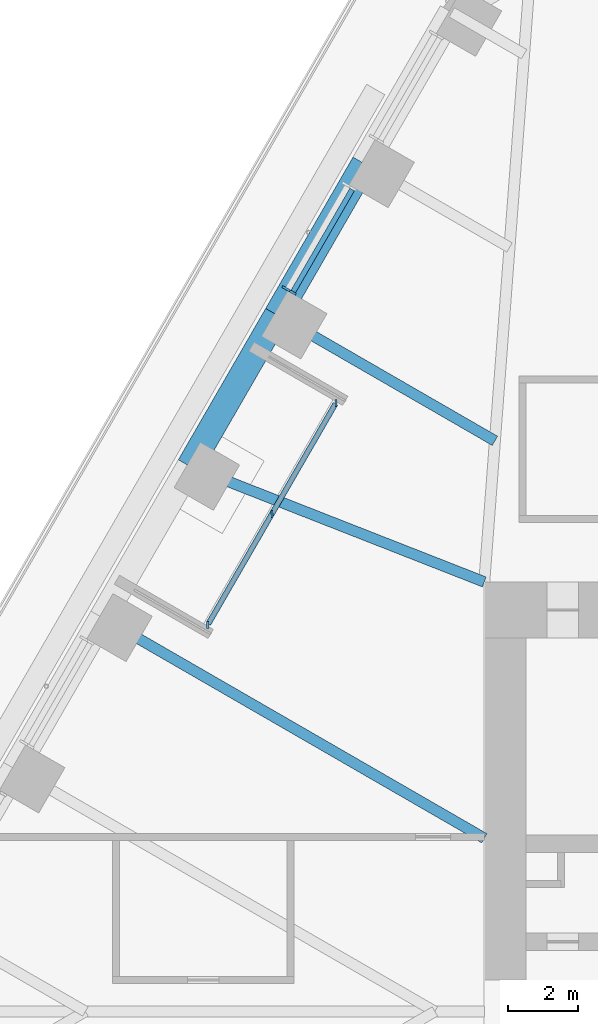
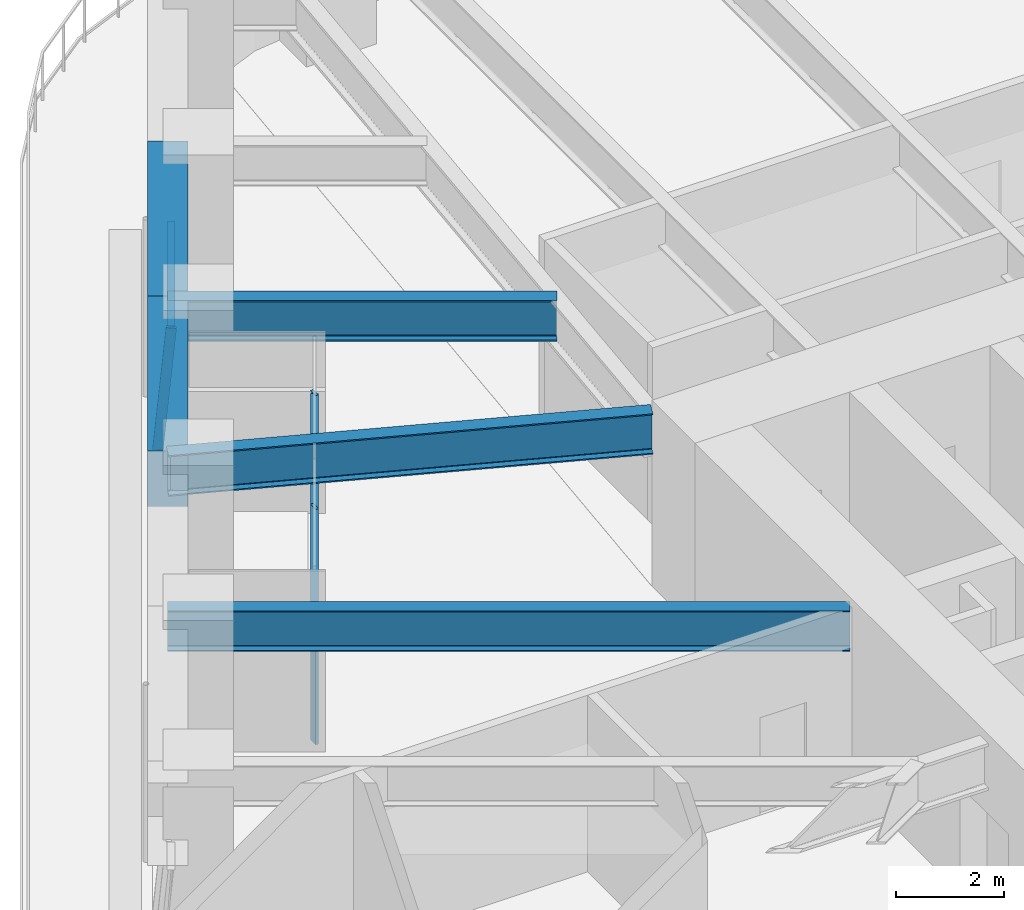
# One storey, part 8 of 24: 6 members, 5 beams, 2 elements without a shape of their own.
"""IFC4 building model written with IfcOpenShell, lengths in metres."""

from ifc_helpers import new_model, si_unit, direction, frame, origin, origin_2d, place, context, subcontext, project, spatial, rectangle, i_section, extrude, material, material_profile, profile_set, type_object, element, aggregate, save


model = new_model("IFC4")

# Units and contexts
model_context = context("Model", 3, precision=1e-05, world=origin(), true_north=direction((0.0, 1.0)))
body_context = subcontext(model_context, "Body", "Model", "MODEL_VIEW")
ifc_project = project(units=[si_unit("LENGTHUNIT", "METRE"), si_unit("AREAUNIT", "SQUARE_METRE"), si_unit("VOLUMEUNIT", "CUBIC_METRE"), si_unit("PLANEANGLEUNIT", "RADIAN"), si_unit("MASSUNIT", "GRAM", prefix="KILO")], contexts=[model_context])

# Site, building, storey
site_placement = place(None, origin())
site = spatial("IfcSite", under=ifc_project, at=site_placement, CompositionType="ELEMENT")
building_placement = place(site_placement, origin())
building = spatial("IfcBuilding", under=site, at=building_placement, Name="Tarfa Lantern Tower", CompositionType="ELEMENT")
storey_placement = place(building_placement, frame((0.0, 0.0, 190.89990234375)))
storey = spatial("IfcBuildingStorey", under=building, at=storey_placement, Name="L43", CompositionType="ELEMENT", Elevation=190.89990234375)

# Curtain wall, member
ifc_material_1 = material(Name="Aluminium framed curtain wall", Category="aluminium")
curtain_wall_type_1 = type_object("IfcCurtainWallType", Name="CW2 CANTED GLAZING MID ZONE 2750", PredefinedType="USERDEFINED", material=ifc_material_1)
curtain_wall_1_placement = place(storey_placement, origin())
curtain_wall_1 = element("IfcCurtainWall", 1, at=curtain_wall_1_placement, inside=storey, type_object=curtain_wall_type_1, Name="CW2 NW L43", ObjectType="CURTAIN WALL", PredefinedType="USERDEFINED")
ifc_material_2 = material(Name="Aluminium mullion", Category="aluminium")
ifc_material_profile_1 = material_profile(ifc_material_2, rectangle(XDim=0.06494140625, YDim=0.199951171875, at=origin_2d()), Name="AL MULLION 65x200")
ifc_profile_set_1 = profile_set([ifc_material_profile_1], Name="Aluminium mullion")
member_type_1 = type_object("IfcMemberType", Name="CWM1 MULLION 65x200", PredefinedType="MULLION", material=ifc_profile_set_1)
member_1_placement = place(storey_placement, frame((-24.300048828125, 20.7109375, 0.0), z_axis=(0.078422950161, -0.045267813396, 0.995891894715), x_axis=(0.499919672301, 0.866071776036, 0.0)))
member_1 = element("IfcMember", 2, at=member_1_placement, type_object=member_type_1, Name="CW2 mullion 2", PredefinedType="MULLION", context=body_context, shape_type="SweptSolid", body=[
    extrude(rectangle(XDim=0.06494140625, YDim=0.199951171875, at=origin_2d()), origin(), (0.0, 0.0, 1.0), 2.76123046875),
])

# Curtain wall, members
curtain_wall_type_2 = type_object("IfcCurtainWallType", Name="CW10 LOGGIA GLAZING 2750", PredefinedType="USERDEFINED", material=ifc_material_1)
curtain_wall_2_placement = place(storey_placement, origin())
curtain_wall_2 = element("IfcCurtainWall", 3, at=curtain_wall_2_placement, inside=storey, type_object=curtain_wall_type_2, Name="CW10 NWL L43", ObjectType="CURTAIN WALL", PredefinedType="USERDEFINED")
member_2_placement = place(storey_placement, frame((-22.84619140625, 17.429443359375, 0.0), z_axis=(0.0, 0.0, 1.0), x_axis=(1.0, 0.0, 0.0)))
member_2 = element("IfcMember", 4, at=member_2_placement, type_object=member_type_1, Name="CW10 mullion 1", PredefinedType="MULLION", context=body_context, shape_type="SweptSolid", body=[
    extrude(rectangle(XDim=0.06494140625, YDim=0.199951171875, at=origin_2d()), origin(), (0.0, 0.0, 1.0), 2.75),
])
member_3_placement = place(storey_placement, frame((-24.681640625, 14.25, 0.0), z_axis=(0.0, 0.0, 1.0), x_axis=(1.0, 0.0, 0.0)))
member_3 = element("IfcMember", 5, at=member_3_placement, type_object=member_type_1, Name="CW10 mullion 2", PredefinedType="MULLION", context=body_context, shape_type="SweptSolid", body=[
    extrude(rectangle(XDim=0.06494140625, YDim=0.199951171875, at=origin_2d()), origin(), (0.0, 0.0, 1.0), 2.75),
])
member_4_placement = place(storey_placement, frame((-26.517333984375, 11.070556640625, 0.0), z_axis=(0.0, 0.0, 1.0), x_axis=(1.0, 0.0, 0.0)))
member_4 = element("IfcMember", 6, at=member_4_placement, type_object=member_type_1, Name="CW10 mullion 3", PredefinedType="MULLION", context=body_context, shape_type="SweptSolid", body=[
    extrude(rectangle(XDim=0.06494140625, YDim=0.199951171875, at=origin_2d()), origin(), (0.0, 0.0, 1.0), 2.75),
])

# Member
ifc_material_3 = material(Name="Aluminium transom", Category="aluminium")
ifc_material_profile_2 = material_profile(ifc_material_3, rectangle(XDim=0.14990234375, YDim=0.06494140625, at=origin_2d()), Name="AL TRANSOM 150x65")
ifc_profile_set_2 = profile_set([ifc_material_profile_2], Name="Aluminium transom")
member_type_2 = type_object("IfcMemberType", Name="CWT1 TRANSOM 150x65", PredefinedType="USERDEFINED", material=ifc_profile_set_2)
member_5_placement = place(storey_placement, frame((-22.383056640625, 23.537353515625, 2.717529296875), z_axis=(-0.499991822116, -0.866030125237, 0.0), x_axis=(0.866030125237, -0.499991822116, 0.0)))
member_5 = element("IfcMember", 7, at=member_5_placement, type_object=member_type_2, Name="CW2 transom 1.2", ObjectType="TRANSOM", PredefinedType="USERDEFINED", context=body_context, shape_type="SweptSolid", body=[
    extrude(rectangle(XDim=0.14990234375, YDim=0.06494140625, at=origin_2d()), origin(), (0.0, 0.0, 1.0), 3.37353515625),
])

aggregate(curtain_wall_1, [member_1, member_5])

member_6_placement = place(storey_placement, frame((-22.8623046875, 17.401123046875, 2.717529296875), z_axis=(-0.500007048974, -0.866021334019, 0.0), x_axis=(0.866021334019, -0.500007048974, 0.0)))
member_6 = element("IfcMember", 8, at=member_6_placement, type_object=member_type_2, Name="CW10 transom 1.2", ObjectType="TRANSOM", PredefinedType="USERDEFINED", context=body_context, shape_type="SweptSolid", body=[
    extrude(rectangle(XDim=0.14990234375, YDim=0.06494140625, at=origin_2d()), origin(), (0.0, 0.0, 1.0), 7.27734375),
])

aggregate(curtain_wall_2, [member_2, member_3, member_4, member_6])

# Beams
ifc_material_4 = material(Name="Concrete C80/95", Category="concrete")
ifc_material_profile_3 = material_profile(ifc_material_4, rectangle(XDim=0.75, YDim=1.25, at=origin_2d()), Name="RC 750x1250")
ifc_profile_set_3 = profile_set([ifc_material_profile_3], Name="Concrete C80/95")
beam_type_1 = type_object("IfcBeamType", Name="EB2 RC 750x1250", PredefinedType="SPANDREL", material=ifc_profile_set_3)
for number, where, z_axis, x_axis, name in (
    (9, (-22.03369140625, 24.276611328125, 3.375), (-0.49998573051, -0.866033642122, 0.0), (0.866033642122, -0.49998573051, 0.0), "Edge beam NW1"),
    (10, (-24.535400390625, 19.943359375, 3.375), (-0.500022324899, -0.866012514114, 0.0), (0.866012514114, -0.500022324899, 0.0), "Edge beam NW2"),
):
    element("IfcBeam", number, at=place(storey_placement, frame(where, z_axis=z_axis, x_axis=x_axis)), inside=storey, type_object=beam_type_1, Name=name, PredefinedType="SPANDREL", context=body_context, shape_type="SweptSolid", body=[
        extrude(rectangle(XDim=0.75, YDim=1.25, at=origin_2d()), origin(), (0.0, 0.0, 1.0), 5.003662109375),
    ])
ifc_material_5 = material(Name="Steel S460M", Category="steel")
ifc_material_profile_4 = material_profile(ifc_material_5, i_section(OverallWidth=0.305419921875, OverallDepth=0.91845703125, WebThickness=0.017333984375, FlangeThickness=0.02783203125, FilletRadius=0.01904296875, at=origin_2d()), Name="UB914x305x253")
ifc_profile_set_4 = profile_set([ifc_material_profile_4], Name="Steel S460M")
beam_type_2 = type_object("IfcBeamType", Name="UB914x305x253", PredefinedType="BEAM", material=ifc_profile_set_4)
beam_1_placement = place(storey_placement, frame((-24.535400390625, 19.943359375, 3.541015625), z_axis=(0.86602647304, -0.499998147991, 0.0), x_axis=(0.499998147991, 0.86602647304, 0.0)))
element("IfcBeam", 11, at=beam_1_placement, inside=storey, type_object=beam_type_2, Name="Floor beam NW2", PredefinedType="BEAM", context=body_context, shape_type="SweptSolid", body=[
    extrude(i_section(OverallWidth=0.305419921875, OverallDepth=0.91845703125, WebThickness=0.017333984375, FlangeThickness=0.02783203125, FilletRadius=0.01904296875, at=origin_2d()), origin(), (0.0, 0.0, 1.0), 7.20556640625),
])
beam_2_placement = place(storey_placement, frame((-27.037353515625, 15.610107421875, 3.541015625), z_axis=(0.930923282782, -0.365214788274, 0.0), x_axis=(0.365214788274, 0.930923282782, 0.0)))
element("IfcBeam", 12, at=beam_2_placement, inside=storey, type_object=beam_type_2, Name="Floor beam NW3", PredefinedType="BEAM", context=body_context, shape_type="SweptSolid", body=[
    extrude(i_section(OverallWidth=0.305419921875, OverallDepth=0.91845703125, WebThickness=0.017333984375, FlangeThickness=0.02783203125, FilletRadius=0.01904296875, at=origin_2d()), origin(), (0.0, 0.0, 1.0), 9.063232421875),
])
beam_3_placement = place(storey_placement, frame((-29.5390625, 11.276611328125, 3.541015625), z_axis=(0.866023362995, -0.500003534735, 0.0), x_axis=(0.500003534735, 0.866023362995, 0.0)))
element("IfcBeam", 13, at=beam_3_placement, inside=storey, type_object=beam_type_2, Name="Floor beam NW4", PredefinedType="BEAM", context=body_context, shape_type="SweptSolid", body=[
    extrude(i_section(OverallWidth=0.305419921875, OverallDepth=0.91845703125, WebThickness=0.017333984375, FlangeThickness=0.02783203125, FilletRadius=0.01904296875, at=origin_2d()), origin(), (0.0, 0.0, 1.0), 12.63134765625),
])

save(model, "model.ifc")
